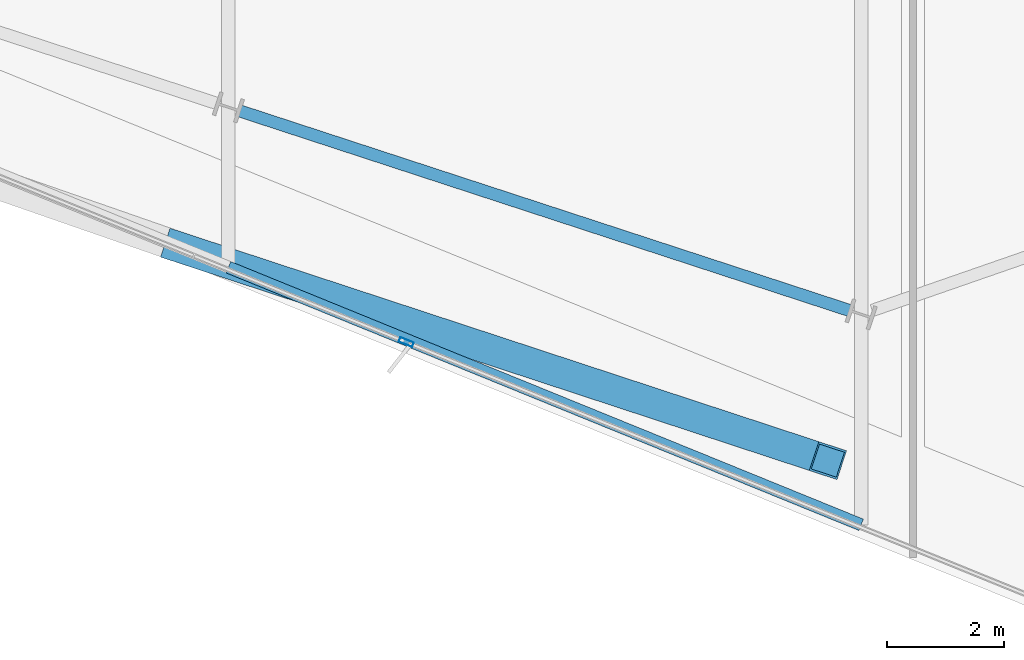
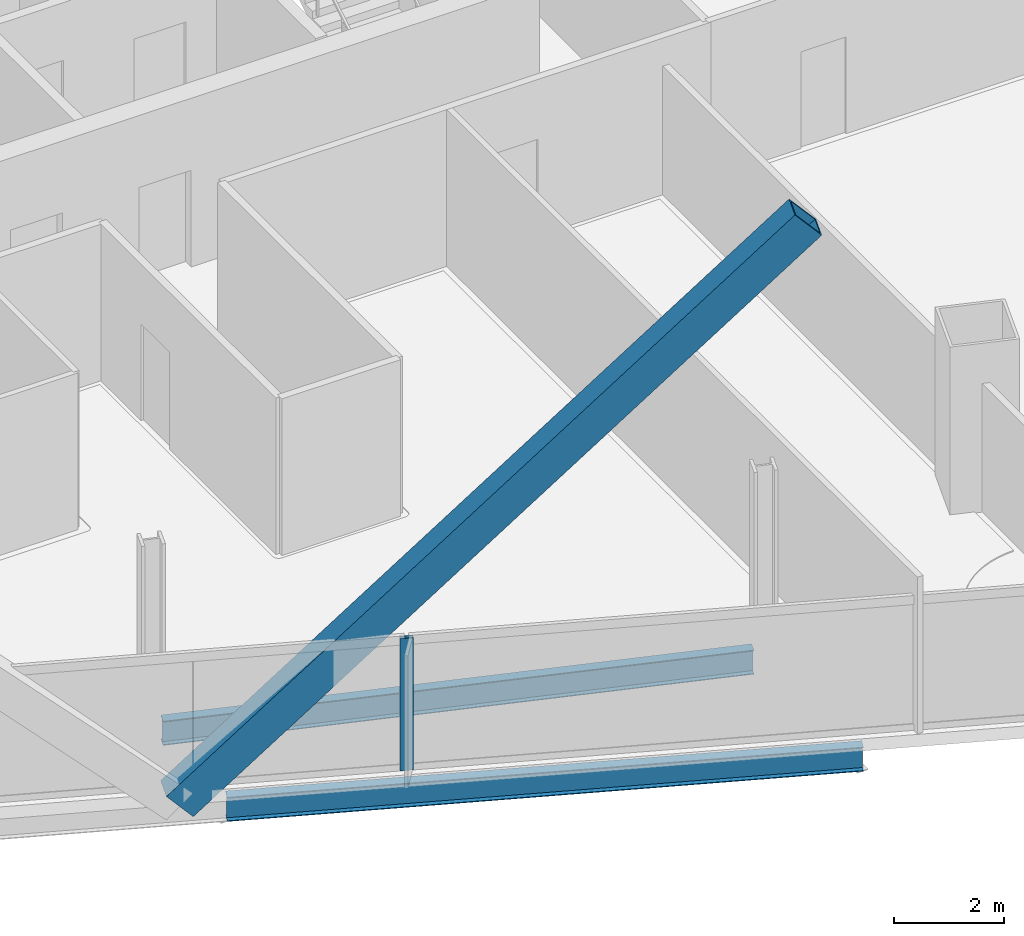
# One storey, part 4 of 31: 2 beams, 2 members, 1 element without a shape of its own.
"""IFC4 building model written with IfcOpenShell, lengths in metres."""

from ifc_helpers import new_model, si_unit, direction, frame, origin, origin_2d, place, context, subcontext, project, spatial, hollow_rectangle, i_section, extrude, material, material_profile, profile_set, type_object, element, aggregate, save


model = new_model("IFC4")

# Units and contexts
model_context = context("Model", 3, precision=1e-05, world=origin(), true_north=direction((0.0, 1.0)))
body_context = subcontext(model_context, "Body", "Model", "MODEL_VIEW")
ifc_project = project(units=[si_unit("LENGTHUNIT", "METRE"), si_unit("AREAUNIT", "SQUARE_METRE"), si_unit("VOLUMEUNIT", "CUBIC_METRE"), si_unit("PLANEANGLEUNIT", "RADIAN"), si_unit("MASSUNIT", "GRAM", prefix="KILO")], contexts=[model_context])

# Site, building, storey
site_placement = place(None, origin())
site = spatial("IfcSite", under=ifc_project, at=site_placement, CompositionType="ELEMENT")
building_placement = place(site_placement, origin())
building = spatial("IfcBuilding", under=site, at=building_placement, Name="Haldenkirk Collegiate Tower", CompositionType="ELEMENT")
storey_placement = place(building_placement, frame((0.0, 0.0, 256.199951171875)))
storey = spatial("IfcBuildingStorey", under=building, at=storey_placement, Name="L64", CompositionType="ELEMENT", Elevation=256.199951171875)

# Beams
ifc_material_1 = material(Name="Steel ASTM A992 Grade 50", Category="steel")
ifc_material_profile_1 = material_profile(ifc_material_1, i_section(OverallWidth=0.2099609375, OverallDepth=0.537109375, WebThickness=0.010986328125, FlangeThickness=0.017333984375, at=origin_2d()), Name="W21X68")
ifc_profile_set_1 = profile_set([ifc_material_profile_1], Name="Steel ASTM A992 Grade 50")
beam_type = type_object("IfcBeamType", Name="BM-SPANDREL-W21X68", PredefinedType="SPANDREL", material=ifc_profile_set_1)
beam_1_placement = place(storey_placement, frame((30.4755859375, 5.97509765625, -0.538330078125), z_axis=(0.95040429397, -0.311017166733, 0.0), x_axis=(0.311017166733, 0.95040429397, 0.0)))
element("IfcBeam", 1, at=beam_1_placement, inside=storey, type_object=beam_type, Name="L64 perimeter spandrel beam 15", PredefinedType="SPANDREL", context=body_context, shape_type="SweptSolid", body=[
    extrude(i_section(OverallWidth=0.2099609375, OverallDepth=0.537109375, WebThickness=0.010986328125, FlangeThickness=0.017333984375, at=origin_2d()), origin(), (0.0, 0.0, 1.0), 10.988037109375),
])
beam_2_placement = place(storey_placement, frame((30.283203125, 3.30029296875, -0.538330078125), z_axis=(0.926193941721, -0.377047453671, 0.0), x_axis=(0.377047453671, 0.926193941721, 0.0)))
element("IfcBeam", 2, at=beam_2_placement, inside=storey, type_object=beam_type, Name="L64 outer facade edge beam 4B", PredefinedType="SPANDREL", context=body_context, shape_type="SweptSolid", body=[
    extrude(i_section(OverallWidth=0.2099609375, OverallDepth=0.537109375, WebThickness=0.010986328125, FlangeThickness=0.017333984375, at=origin_2d()), origin(), (0.0, 0.0, 1.0), 11.690673828125),
])

# Curtain wall, member
ifc_material_2 = material(Name="Anodised architectural bronze aluminium", Category="aluminium")
curtain_wall_type = type_object("IfcCurtainWallType", Name="CW-SYS1B-CONVEX-HI", PredefinedType="USERDEFINED", material=ifc_material_2)
curtain_wall_placement = place(storey_placement, origin())
curtain_wall = element("IfcCurtainWall", 3, at=curtain_wall_placement, inside=storey, type_object=curtain_wall_type, Name="L64 Upper tower high-wind convex bronze unitised curtain wall", ObjectType="UNITISED CURTAIN WALL", PredefinedType="USERDEFINED")
ifc_material_profile_2 = material_profile(ifc_material_2, hollow_rectangle(XDim=0.0849609375, YDim=0.25, WallThickness=0.0048828125, at=origin_2d()), Name="CW-MUL-1B")
ifc_profile_set_2 = profile_set([ifc_material_profile_2], Name="Anodised architectural bronze aluminium")
member_type_1 = type_object("IfcMemberType", Name="CW-MUL-1B", PredefinedType="MULLION", material=ifc_profile_set_2)
member_1_placement = place(storey_placement, frame((33.327392578125, 2.017822265625, 0.0), z_axis=(0.0, 0.0, 1.0), x_axis=(-0.377034271745, -0.926199307886, 0.0)))
member_1 = element("IfcMember", 4, at=member_1_placement, type_object=member_type_1, Name="CW-1B mullion 2", PredefinedType="MULLION", context=body_context, shape_type="SweptSolid", body=[
    extrude(hollow_rectangle(XDim=0.0849609375, YDim=0.25, WallThickness=0.0048828125, at=origin_2d()), origin(), (0.0, 0.0, 1.0), 2.93798828125),
])
aggregate(curtain_wall, [member_1])

# Member
ifc_material_3 = material(Name="Steel ASTM A572 Grade 50", Category="steel")
ifc_material_profile_3 = material_profile(ifc_material_3, hollow_rectangle(XDim=0.52001953125, YDim=0.719970703125, WallThickness=0.035888671875, at=origin_2d()), Name="BOX720X520X36")
ifc_profile_set_3 = profile_set([ifc_material_profile_3], Name="Steel ASTM A572 Grade 50")
member_type_2 = type_object("IfcMemberType", Name="MBR-MEGABRACE-BOX720X520X36", PredefinedType="BRACE", material=ifc_profile_set_3)
member_2_placement = place(storey_placement, frame((29.44140625, 3.642822265625, -0.280029296875), z_axis=(0.684352691974, -0.225152652722, 0.69351833138), x_axis=(0.312521475022, 0.949910694566, 0.0)))
element("IfcMember", 5, at=member_2_placement, inside=storey, type_object=member_type_2, Name="Perimeter Mega Brace Z5 L64-L66 WR", PredefinedType="BRACE", context=body_context, shape_type="SweptSolid", body=[
    extrude(hollow_rectangle(XDim=0.52001953125, YDim=0.719970703125, WallThickness=0.035888671875, at=origin_2d()), origin(), (0.0, 0.0, 1.0), 16.2216796875),
])

save(model, "model.ifc")
